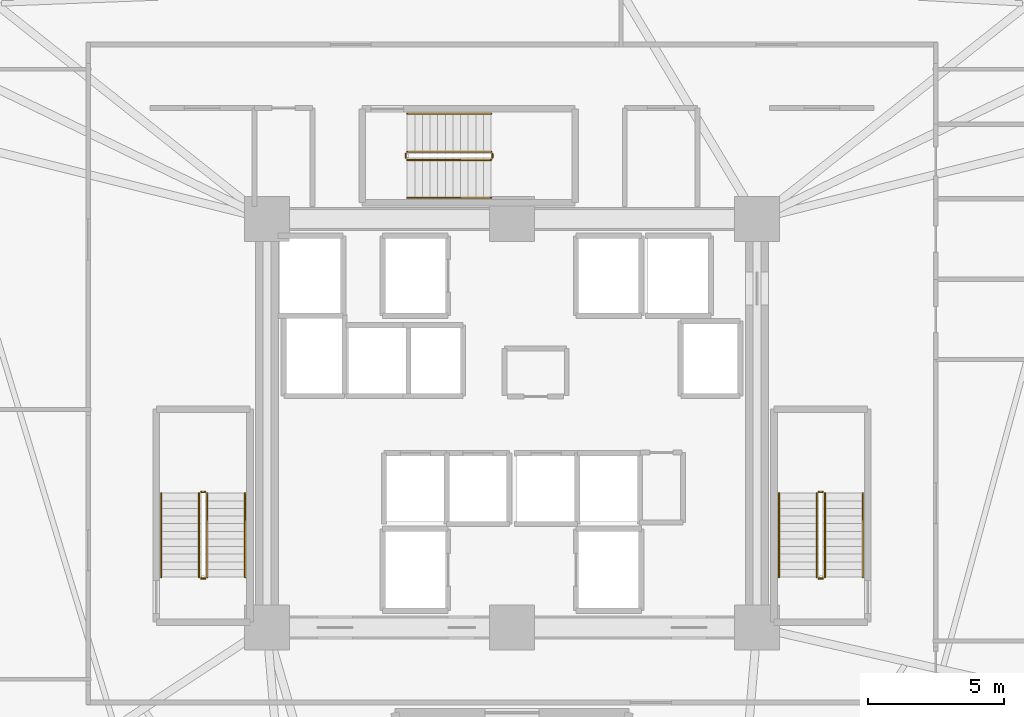
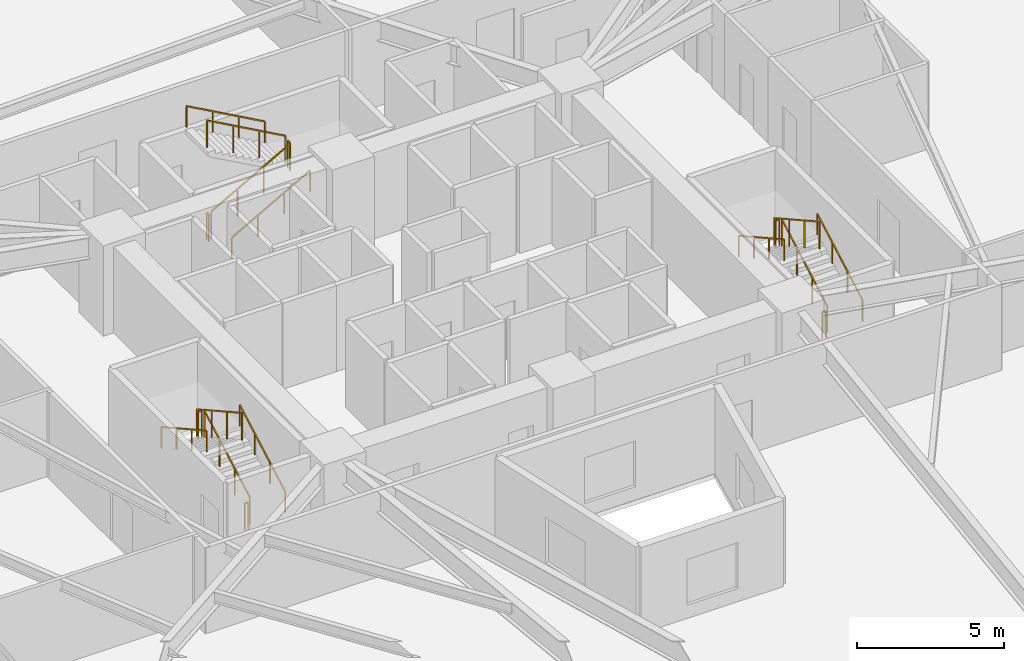
# One storey, part 8 of 8: 18 railings.
"""IFC4 building model written with IfcOpenShell, lengths in metres."""

from ifc_helpers import new_model, si_unit, direction, frame, origin, origin_2d, place, context, subcontext, project, spatial, rectangle, extrude, material, type_object, element, save


model = new_model("IFC4")

# Units and contexts
model_context = context("Model", 3, precision=1e-05, world=origin(), true_north=direction((0.0, 1.0)))
body_context = subcontext(model_context, "Body", "Model", "MODEL_VIEW")
ifc_project = project(units=[si_unit("LENGTHUNIT", "METRE"), si_unit("AREAUNIT", "SQUARE_METRE"), si_unit("VOLUMEUNIT", "CUBIC_METRE"), si_unit("PLANEANGLEUNIT", "RADIAN"), si_unit("MASSUNIT", "GRAM", prefix="KILO")], contexts=[model_context])

# Site, building, storey
site_placement = place(None, origin())
site = spatial("IfcSite", under=ifc_project, at=site_placement, CompositionType="ELEMENT")
building_placement = place(site_placement, origin())
building = spatial("IfcBuilding", under=site, at=building_placement, Name="Liaohun Quay Tower", CompositionType="ELEMENT")
storey_placement = place(building_placement, frame((0.0, 0.0, 70.5)))
storey = spatial("IfcBuildingStorey", under=building, at=storey_placement, Name="L18", CompositionType="ELEMENT", Elevation=70.5)

# Railings
ifc_material_1 = material(Name="Painted tubular steel", Category="steel")
railing_type_1 = type_object("IfcRailingType", Name="RLG-GUARD-STR", PredefinedType="GUARDRAIL", material=ifc_material_1)
railing_1_placement = place(storey_placement, frame((48.81005859375, 48.35009765625, 0.15625)))
element("IfcRailing", 1, at=railing_1_placement, inside=storey, type_object=railing_type_1, Name="L18 ST-1 stair guard 1", PredefinedType="GUARDRAIL", context=body_context, shape_type="SweptSolid", body=[
    extrude(rectangle(XDim=0.048095703125, YDim=0.048095703125, at=origin_2d()), frame((0.0, 0.0, 1.1259765625), z_axis=(0.0, 0.873225103656, 0.487317061414), x_axis=(-1.0, 0.0, 0.0)), (0.0, 0.0, 1.0), 3.52685546875),
    extrude(rectangle(XDim=0.0419921875, YDim=0.0419921875, at=origin_2d()), origin(), (0.0, 0.0, 1.0), 1.101806640625),
    extrude(rectangle(XDim=0.0419921875, YDim=0.0419921875, at=origin_2d()), frame((0.0, 1.026611328125, 0.572998046875)), (0.0, 0.0, 1.0), 1.101806640625),
    extrude(rectangle(XDim=0.0419921875, YDim=0.0419921875, at=origin_2d()), frame((0.0, 2.05322265625, 1.145751953125)), (0.0, 0.0, 1.0), 1.101806640625),
    extrude(rectangle(XDim=0.0419921875, YDim=0.0419921875, at=origin_2d()), frame((0.0, 3.079833984375, 1.71875)), (0.0, 0.0, 1.0), 1.101806640625),
])
railing_2_placement = place(storey_placement, frame((48.72998046875, 51.47998046875, 1.875)))
element("IfcRailing", 2, at=railing_2_placement, inside=storey, type_object=railing_type_1, Name="L18 ST-1 stair guard 2", PredefinedType="GUARDRAIL", context=body_context, shape_type="SweptSolid", body=[
    extrude(rectangle(XDim=0.048095703125, YDim=0.048095703125, at=origin_2d()), frame((0.0, 0.0, 1.1259765625), z_axis=(-1.0, 0.0, 0.0), x_axis=(0.0, -1.0, 0.0)), (0.0, 0.0, 1.0), 0.139892578125),
    extrude(rectangle(XDim=0.0419921875, YDim=0.0419921875, at=origin_2d()), origin(), (0.0, 0.0, 1.0), 1.101806640625),
    extrude(rectangle(XDim=0.0419921875, YDim=0.0419921875, at=origin_2d()), frame((-0.139892578125, 0.0, 0.0)), (0.0, 0.0, 1.0), 1.101806640625),
])
railing_3_placement = place(storey_placement, frame((48.510009765625, 51.429931640625, 2.03125)))
element("IfcRailing", 3, at=railing_3_placement, inside=storey, type_object=railing_type_1, Name="L18 ST-1 stair guard 3", PredefinedType="GUARDRAIL", context=body_context, shape_type="SweptSolid", body=[
    extrude(rectangle(XDim=0.048095703125, YDim=0.048095703125, at=origin_2d()), frame((0.0, 0.0, 1.1259765625), z_axis=(0.0, -0.873225103656, 0.487317061414), x_axis=(1.0, 0.0, 0.0)), (0.0, 0.0, 1.0), 3.52685546875),
    extrude(rectangle(XDim=0.0419921875, YDim=0.0419921875, at=origin_2d()), origin(), (0.0, 0.0, 1.0), 1.101806640625),
    extrude(rectangle(XDim=0.0419921875, YDim=0.0419921875, at=origin_2d()), frame((0.0, -1.026611328125, 0.572998046875)), (0.0, 0.0, 1.0), 1.101806640625),
    extrude(rectangle(XDim=0.0419921875, YDim=0.0419921875, at=origin_2d()), frame((0.0, -2.05322265625, 1.145751953125)), (0.0, 0.0, 1.0), 1.101806640625),
    extrude(rectangle(XDim=0.0419921875, YDim=0.0419921875, at=origin_2d()), frame((0.0, -3.079833984375, 1.71875)), (0.0, 0.0, 1.0), 1.101806640625),
])
railing_4_placement = place(storey_placement, frame((48.72998046875, 48.300048828125, 0.0)))
element("IfcRailing", 4, at=railing_4_placement, inside=storey, type_object=railing_type_1, Name="L18 ST-1 stair guard 4", PredefinedType="GUARDRAIL", context=body_context, shape_type="SweptSolid", body=[
    extrude(rectangle(XDim=0.048095703125, YDim=0.048095703125, at=origin_2d()), frame((0.0, 0.0, 1.1259765625), z_axis=(-1.0, 0.0, 0.0), x_axis=(0.0, -1.0, 0.0)), (0.0, 0.0, 1.0), 0.139892578125),
    extrude(rectangle(XDim=0.0419921875, YDim=0.0419921875, at=origin_2d()), origin(), (0.0, 0.0, 1.0), 1.101806640625),
    extrude(rectangle(XDim=0.0419921875, YDim=0.0419921875, at=origin_2d()), frame((-0.139892578125, 0.0, 0.0)), (0.0, 0.0, 1.0), 1.101806640625),
])
railing_5_placement = place(storey_placement, frame((71.489990234375, 48.35009765625, 0.15625)))
element("IfcRailing", 5, at=railing_5_placement, inside=storey, type_object=railing_type_1, Name="L18 ST-2 stair guard 1", PredefinedType="GUARDRAIL", context=body_context, shape_type="SweptSolid", body=[
    extrude(rectangle(XDim=0.048095703125, YDim=0.048095703125, at=origin_2d()), frame((0.0, 0.0, 1.1259765625), z_axis=(0.0, 0.873225103656, 0.487317061414), x_axis=(-1.0, 0.0, 0.0)), (0.0, 0.0, 1.0), 3.52685546875),
    extrude(rectangle(XDim=0.0419921875, YDim=0.0419921875, at=origin_2d()), origin(), (0.0, 0.0, 1.0), 1.101806640625),
    extrude(rectangle(XDim=0.0419921875, YDim=0.0419921875, at=origin_2d()), frame((0.0, 1.026611328125, 0.572998046875)), (0.0, 0.0, 1.0), 1.101806640625),
    extrude(rectangle(XDim=0.0419921875, YDim=0.0419921875, at=origin_2d()), frame((0.0, 2.05322265625, 1.145751953125)), (0.0, 0.0, 1.0), 1.101806640625),
    extrude(rectangle(XDim=0.0419921875, YDim=0.0419921875, at=origin_2d()), frame((0.0, 3.079833984375, 1.71875)), (0.0, 0.0, 1.0), 1.101806640625),
])
railing_6_placement = place(storey_placement, frame((71.409912109375, 51.47998046875, 1.875)))
element("IfcRailing", 6, at=railing_6_placement, inside=storey, type_object=railing_type_1, Name="L18 ST-2 stair guard 2", PredefinedType="GUARDRAIL", context=body_context, shape_type="SweptSolid", body=[
    extrude(rectangle(XDim=0.048095703125, YDim=0.048095703125, at=origin_2d()), frame((0.0, 0.0, 1.1259765625), z_axis=(-1.0, 0.0, 0.0), x_axis=(0.0, -1.0, 0.0)), (0.0, 0.0, 1.0), 0.139892578125),
    extrude(rectangle(XDim=0.0419921875, YDim=0.0419921875, at=origin_2d()), origin(), (0.0, 0.0, 1.0), 1.101806640625),
    extrude(rectangle(XDim=0.0419921875, YDim=0.0419921875, at=origin_2d()), frame((-0.139892578125, 0.0, 0.0)), (0.0, 0.0, 1.0), 1.101806640625),
])
railing_7_placement = place(storey_placement, frame((71.18994140625, 51.429931640625, 2.03125)))
element("IfcRailing", 7, at=railing_7_placement, inside=storey, type_object=railing_type_1, Name="L18 ST-2 stair guard 3", PredefinedType="GUARDRAIL", context=body_context, shape_type="SweptSolid", body=[
    extrude(rectangle(XDim=0.048095703125, YDim=0.048095703125, at=origin_2d()), frame((0.0, 0.0, 1.1259765625), z_axis=(0.0, -0.873225103656, 0.487317061414), x_axis=(1.0, 0.0, 0.0)), (0.0, 0.0, 1.0), 3.52685546875),
    extrude(rectangle(XDim=0.0419921875, YDim=0.0419921875, at=origin_2d()), origin(), (0.0, 0.0, 1.0), 1.101806640625),
    extrude(rectangle(XDim=0.0419921875, YDim=0.0419921875, at=origin_2d()), frame((0.0, -1.026611328125, 0.572998046875)), (0.0, 0.0, 1.0), 1.101806640625),
    extrude(rectangle(XDim=0.0419921875, YDim=0.0419921875, at=origin_2d()), frame((0.0, -2.05322265625, 1.145751953125)), (0.0, 0.0, 1.0), 1.101806640625),
    extrude(rectangle(XDim=0.0419921875, YDim=0.0419921875, at=origin_2d()), frame((0.0, -3.079833984375, 1.71875)), (0.0, 0.0, 1.0), 1.101806640625),
])
railing_8_placement = place(storey_placement, frame((71.409912109375, 48.300048828125, 0.0)))
element("IfcRailing", 8, at=railing_8_placement, inside=storey, type_object=railing_type_1, Name="L18 ST-2 stair guard 4", PredefinedType="GUARDRAIL", context=body_context, shape_type="SweptSolid", body=[
    extrude(rectangle(XDim=0.048095703125, YDim=0.048095703125, at=origin_2d()), frame((0.0, 0.0, 1.1259765625), z_axis=(-1.0, 0.0, 0.0), x_axis=(0.0, -1.0, 0.0)), (0.0, 0.0, 1.0), 0.139892578125),
    extrude(rectangle(XDim=0.0419921875, YDim=0.0419921875, at=origin_2d()), origin(), (0.0, 0.0, 1.0), 1.101806640625),
    extrude(rectangle(XDim=0.0419921875, YDim=0.0419921875, at=origin_2d()), frame((-0.139892578125, 0.0, 0.0)), (0.0, 0.0, 1.0), 1.101806640625),
])
railing_9_placement = place(storey_placement, frame((56.14990234375, 63.669921875, 0.15625)))
element("IfcRailing", 9, at=railing_9_placement, inside=storey, type_object=railing_type_1, Name="L18 ST-3 stair guard 1", PredefinedType="GUARDRAIL", context=body_context, shape_type="SweptSolid", body=[
    extrude(rectangle(XDim=0.048095703125, YDim=0.048095703125, at=origin_2d()), frame((0.0, 0.0, 1.1259765625), z_axis=(0.873241540666, 0.0, 0.487287606713), x_axis=(0.0, 1.0, 0.0)), (0.0, 0.0, 1.0), 3.527099609375),
    extrude(rectangle(XDim=0.0419921875, YDim=0.0419921875, at=origin_2d()), origin(), (0.0, 0.0, 1.0), 1.101806640625),
    extrude(rectangle(XDim=0.0419921875, YDim=0.0419921875, at=origin_2d()), frame((1.026611328125, 0.0, 0.572998046875)), (0.0, 0.0, 1.0), 1.101806640625),
    extrude(rectangle(XDim=0.0419921875, YDim=0.0419921875, at=origin_2d()), frame((2.053466796875, 0.0, 1.145751953125)), (0.0, 0.0, 1.0), 1.101806640625),
    extrude(rectangle(XDim=0.0419921875, YDim=0.0419921875, at=origin_2d()), frame((3.080078125, 0.0, 1.71875)), (0.0, 0.0, 1.0), 1.101806640625),
])
railing_10_placement = place(storey_placement, frame((59.280029296875, 63.75, 1.875)))
element("IfcRailing", 10, at=railing_10_placement, inside=storey, type_object=railing_type_1, Name="L18 ST-3 stair guard 2", PredefinedType="GUARDRAIL", context=body_context, shape_type="SweptSolid", body=[
    extrude(rectangle(XDim=0.048095703125, YDim=0.048095703125, at=origin_2d()), frame((0.0, 0.0, 1.1259765625), z_axis=(0.0, 1.0, 0.0), x_axis=(-1.0, 0.0, 0.0)), (0.0, 0.0, 1.0), 0.139892578125),
    extrude(rectangle(XDim=0.0419921875, YDim=0.0419921875, at=origin_2d()), origin(), (0.0, 0.0, 1.0), 1.101806640625),
    extrude(rectangle(XDim=0.0419921875, YDim=0.0419921875, at=origin_2d()), frame((0.0, 0.139892578125, 0.0)), (0.0, 0.0, 1.0), 1.101806640625),
])
railing_11_placement = place(storey_placement, frame((59.22998046875, 63.969970703125, 2.03125)))
element("IfcRailing", 11, at=railing_11_placement, inside=storey, type_object=railing_type_1, Name="L18 ST-3 stair guard 3", PredefinedType="GUARDRAIL", context=body_context, shape_type="SweptSolid", body=[
    extrude(rectangle(XDim=0.048095703125, YDim=0.048095703125, at=origin_2d()), frame((0.0, 0.0, 1.1259765625), z_axis=(-0.873241540666, 0.0, 0.487287606713), x_axis=(0.0, -1.0, 0.0)), (0.0, 0.0, 1.0), 3.527099609375),
    extrude(rectangle(XDim=0.0419921875, YDim=0.0419921875, at=origin_2d()), origin(), (0.0, 0.0, 1.0), 1.101806640625),
    extrude(rectangle(XDim=0.0419921875, YDim=0.0419921875, at=origin_2d()), frame((-1.026611328125, 0.0, 0.572998046875)), (0.0, 0.0, 1.0), 1.101806640625),
    extrude(rectangle(XDim=0.0419921875, YDim=0.0419921875, at=origin_2d()), frame((-2.053466796875, 0.0, 1.145751953125)), (0.0, 0.0, 1.0), 1.101806640625),
    extrude(rectangle(XDim=0.0419921875, YDim=0.0419921875, at=origin_2d()), frame((-3.080078125, 0.0, 1.71875)), (0.0, 0.0, 1.0), 1.101806640625),
])
railing_12_placement = place(storey_placement, frame((56.10009765625, 63.75, 0.0)))
element("IfcRailing", 12, at=railing_12_placement, inside=storey, type_object=railing_type_1, Name="L18 ST-3 stair guard 4", PredefinedType="GUARDRAIL", context=body_context, shape_type="SweptSolid", body=[
    extrude(rectangle(XDim=0.048095703125, YDim=0.048095703125, at=origin_2d()), frame((0.0, 0.0, 1.1259765625), z_axis=(0.0, 1.0, 0.0), x_axis=(-1.0, 0.0, 0.0)), (0.0, 0.0, 1.0), 0.139892578125),
    extrude(rectangle(XDim=0.0419921875, YDim=0.0419921875, at=origin_2d()), origin(), (0.0, 0.0, 1.0), 1.101806640625),
    extrude(rectangle(XDim=0.0419921875, YDim=0.0419921875, at=origin_2d()), frame((0.0, 0.139892578125, 0.0)), (0.0, 0.0, 1.0), 1.101806640625),
])
ifc_material_2 = material(Name="Brushed stainless steel", Category="steel")
railing_type_2 = type_object("IfcRailingType", Name="RLG-HND-STR", PredefinedType="HANDRAIL", material=ifc_material_2)
railing_13_placement = place(storey_placement, frame((50.199951171875, 48.35009765625, 0.15625)))
element("IfcRailing", 13, at=railing_13_placement, inside=storey, type_object=railing_type_2, Name="L18 ST-1 stair handrail 1", PredefinedType="HANDRAIL", context=body_context, shape_type="SweptSolid", body=[
    extrude(rectangle(XDim=0.048095703125, YDim=0.048095703125, at=origin_2d()), frame((0.0, 0.0, 0.8759765625), z_axis=(0.0, 0.873225103656, 0.487317061414), x_axis=(-1.0, 0.0, 0.0)), (0.0, 0.0, 1.0), 3.52685546875),
    extrude(rectangle(XDim=0.0419921875, YDim=0.0419921875, at=origin_2d()), origin(), (0.0, 0.0, 1.0), 0.851806640625),
    extrude(rectangle(XDim=0.0419921875, YDim=0.0419921875, at=origin_2d()), frame((0.0, 1.026611328125, 0.572998046875)), (0.0, 0.0, 1.0), 0.851806640625),
    extrude(rectangle(XDim=0.0419921875, YDim=0.0419921875, at=origin_2d()), frame((0.0, 2.05322265625, 1.145751953125)), (0.0, 0.0, 1.0), 0.851806640625),
    extrude(rectangle(XDim=0.0419921875, YDim=0.0419921875, at=origin_2d()), frame((0.0, 3.079833984375, 1.71875)), (0.0, 0.0, 1.0), 0.851806640625),
])
railing_14_placement = place(storey_placement, frame((47.1201171875, 51.429931640625, 2.03125)))
element("IfcRailing", 14, at=railing_14_placement, inside=storey, type_object=railing_type_2, Name="L18 ST-1 stair handrail 2", PredefinedType="HANDRAIL", context=body_context, shape_type="SweptSolid", body=[
    extrude(rectangle(XDim=0.048095703125, YDim=0.048095703125, at=origin_2d()), frame((0.0, 0.0, 0.8759765625), z_axis=(0.0, -0.873225103656, 0.487317061414), x_axis=(1.0, 0.0, 0.0)), (0.0, 0.0, 1.0), 3.52685546875),
    extrude(rectangle(XDim=0.0419921875, YDim=0.0419921875, at=origin_2d()), origin(), (0.0, 0.0, 1.0), 0.851806640625),
    extrude(rectangle(XDim=0.0419921875, YDim=0.0419921875, at=origin_2d()), frame((0.0, -1.026611328125, 0.572998046875)), (0.0, 0.0, 1.0), 0.851806640625),
    extrude(rectangle(XDim=0.0419921875, YDim=0.0419921875, at=origin_2d()), frame((0.0, -2.05322265625, 1.145751953125)), (0.0, 0.0, 1.0), 0.851806640625),
    extrude(rectangle(XDim=0.0419921875, YDim=0.0419921875, at=origin_2d()), frame((0.0, -3.079833984375, 1.71875)), (0.0, 0.0, 1.0), 0.851806640625),
])
railing_15_placement = place(storey_placement, frame((72.8798828125, 48.35009765625, 0.15625)))
element("IfcRailing", 15, at=railing_15_placement, inside=storey, type_object=railing_type_2, Name="L18 ST-2 stair handrail 1", PredefinedType="HANDRAIL", context=body_context, shape_type="SweptSolid", body=[
    extrude(rectangle(XDim=0.048095703125, YDim=0.048095703125, at=origin_2d()), frame((0.0, 0.0, 0.8759765625), z_axis=(0.0, 0.873225103656, 0.487317061414), x_axis=(-1.0, 0.0, 0.0)), (0.0, 0.0, 1.0), 3.52685546875),
    extrude(rectangle(XDim=0.0419921875, YDim=0.0419921875, at=origin_2d()), origin(), (0.0, 0.0, 1.0), 0.851806640625),
    extrude(rectangle(XDim=0.0419921875, YDim=0.0419921875, at=origin_2d()), frame((0.0, 1.026611328125, 0.572998046875)), (0.0, 0.0, 1.0), 0.851806640625),
    extrude(rectangle(XDim=0.0419921875, YDim=0.0419921875, at=origin_2d()), frame((0.0, 2.05322265625, 1.145751953125)), (0.0, 0.0, 1.0), 0.851806640625),
    extrude(rectangle(XDim=0.0419921875, YDim=0.0419921875, at=origin_2d()), frame((0.0, 3.079833984375, 1.71875)), (0.0, 0.0, 1.0), 0.851806640625),
])
railing_16_placement = place(storey_placement, frame((69.800048828125, 51.429931640625, 2.03125)))
element("IfcRailing", 16, at=railing_16_placement, inside=storey, type_object=railing_type_2, Name="L18 ST-2 stair handrail 2", PredefinedType="HANDRAIL", context=body_context, shape_type="SweptSolid", body=[
    extrude(rectangle(XDim=0.048095703125, YDim=0.048095703125, at=origin_2d()), frame((0.0, 0.0, 0.8759765625), z_axis=(0.0, -0.873225103656, 0.487317061414), x_axis=(1.0, 0.0, 0.0)), (0.0, 0.0, 1.0), 3.52685546875),
    extrude(rectangle(XDim=0.0419921875, YDim=0.0419921875, at=origin_2d()), origin(), (0.0, 0.0, 1.0), 0.851806640625),
    extrude(rectangle(XDim=0.0419921875, YDim=0.0419921875, at=origin_2d()), frame((0.0, -1.026611328125, 0.572998046875)), (0.0, 0.0, 1.0), 0.851806640625),
    extrude(rectangle(XDim=0.0419921875, YDim=0.0419921875, at=origin_2d()), frame((0.0, -2.05322265625, 1.145751953125)), (0.0, 0.0, 1.0), 0.851806640625),
    extrude(rectangle(XDim=0.0419921875, YDim=0.0419921875, at=origin_2d()), frame((0.0, -3.079833984375, 1.71875)), (0.0, 0.0, 1.0), 0.851806640625),
])
railing_17_placement = place(storey_placement, frame((56.14990234375, 62.280029296875, 0.15625)))
element("IfcRailing", 17, at=railing_17_placement, inside=storey, type_object=railing_type_2, Name="L18 ST-3 stair handrail 1", PredefinedType="HANDRAIL", context=body_context, shape_type="SweptSolid", body=[
    extrude(rectangle(XDim=0.048095703125, YDim=0.048095703125, at=origin_2d()), frame((0.0, 0.0, 0.8759765625), z_axis=(0.873241540666, 0.0, 0.487287606713), x_axis=(0.0, 1.0, 0.0)), (0.0, 0.0, 1.0), 3.527099609375),
    extrude(rectangle(XDim=0.0419921875, YDim=0.0419921875, at=origin_2d()), origin(), (0.0, 0.0, 1.0), 0.851806640625),
    extrude(rectangle(XDim=0.0419921875, YDim=0.0419921875, at=origin_2d()), frame((1.026611328125, 0.0, 0.572998046875)), (0.0, 0.0, 1.0), 0.851806640625),
    extrude(rectangle(XDim=0.0419921875, YDim=0.0419921875, at=origin_2d()), frame((2.053466796875, 0.0, 1.145751953125)), (0.0, 0.0, 1.0), 0.851806640625),
    extrude(rectangle(XDim=0.0419921875, YDim=0.0419921875, at=origin_2d()), frame((3.080078125, 0.0, 1.71875)), (0.0, 0.0, 1.0), 0.851806640625),
])
railing_18_placement = place(storey_placement, frame((59.22998046875, 65.360107421875, 2.03125)))
element("IfcRailing", 18, at=railing_18_placement, inside=storey, type_object=railing_type_2, Name="L18 ST-3 stair handrail 2", PredefinedType="HANDRAIL", context=body_context, shape_type="SweptSolid", body=[
    extrude(rectangle(XDim=0.048095703125, YDim=0.048095703125, at=origin_2d()), frame((0.0, 0.0, 0.8759765625), z_axis=(-0.873241540666, 0.0, 0.487287606713), x_axis=(0.0, -1.0, 0.0)), (0.0, 0.0, 1.0), 3.527099609375),
    extrude(rectangle(XDim=0.0419921875, YDim=0.0419921875, at=origin_2d()), origin(), (0.0, 0.0, 1.0), 0.851806640625),
    extrude(rectangle(XDim=0.0419921875, YDim=0.0419921875, at=origin_2d()), frame((-1.026611328125, 0.0, 0.572998046875)), (0.0, 0.0, 1.0), 0.851806640625),
    extrude(rectangle(XDim=0.0419921875, YDim=0.0419921875, at=origin_2d()), frame((-2.053466796875, 0.0, 1.145751953125)), (0.0, 0.0, 1.0), 0.851806640625),
    extrude(rectangle(XDim=0.0419921875, YDim=0.0419921875, at=origin_2d()), frame((-3.080078125, 0.0, 1.71875)), (0.0, 0.0, 1.0), 0.851806640625),
])

save(model, "model.ifc")
